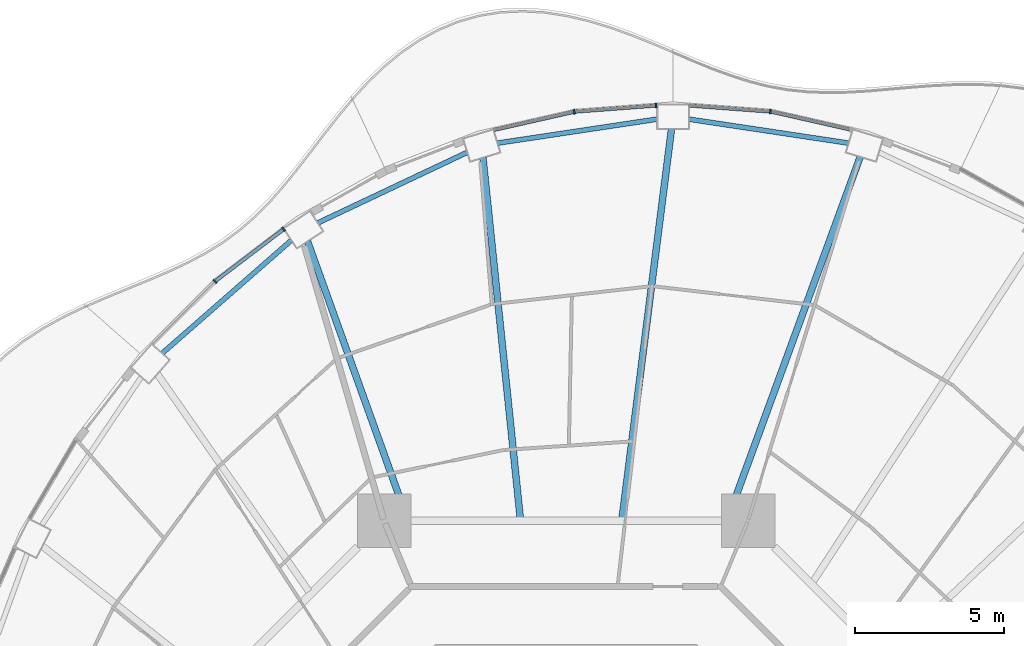
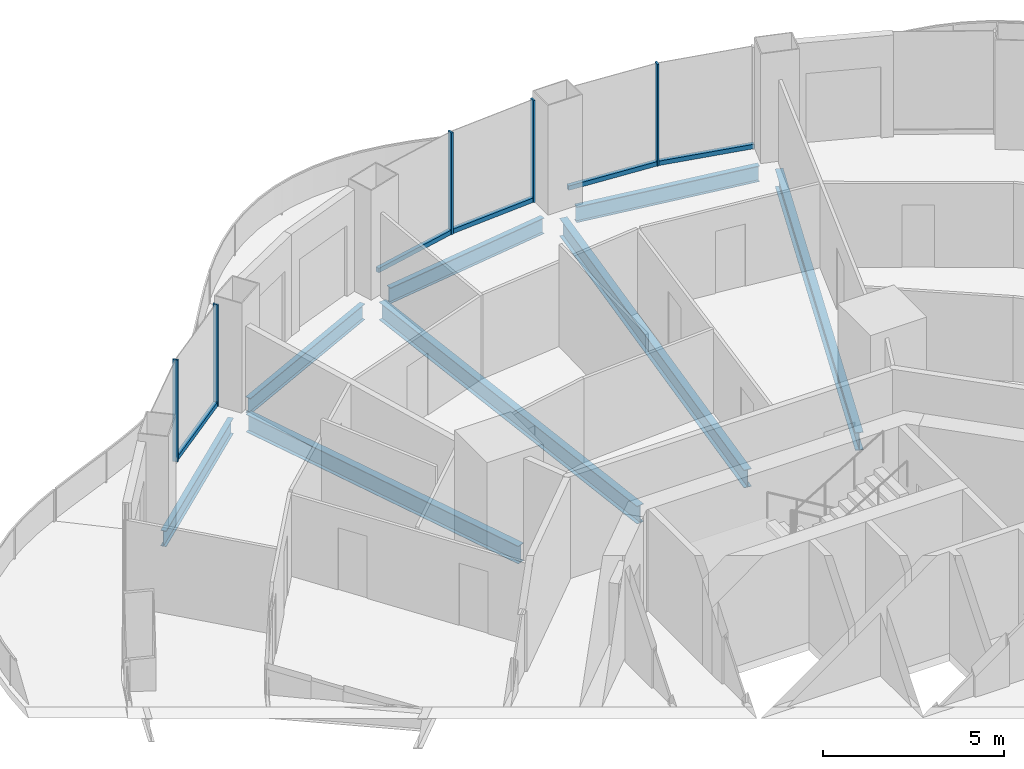
# One storey, part 7 of 19: 10 members, 8 beams, 6 elements without a shape of their own.
"""IFC4 building model written with IfcOpenShell, lengths in metres."""

from ifc_helpers import new_model, si_unit, direction, frame, origin, origin_2d, place, context, subcontext, project, spatial, rectangle, i_section, extrude, material, layer, layer_set, material_profile, profile_set, type_object, element, aggregate, save


model = new_model("IFC4")

# Units and contexts
model_context = context("Model", 3, precision=1e-05, world=origin(), true_north=direction((0.0, 1.0)))
body_context = subcontext(model_context, "Body", "Model", "MODEL_VIEW")
ifc_project = project(units=[si_unit("LENGTHUNIT", "METRE"), si_unit("AREAUNIT", "SQUARE_METRE"), si_unit("VOLUMEUNIT", "CUBIC_METRE"), si_unit("PLANEANGLEUNIT", "RADIAN"), si_unit("MASSUNIT", "GRAM", prefix="KILO")], contexts=[model_context])

# Site, building, storey
site_placement = place(None, origin())
site = spatial("IfcSite", under=ifc_project, at=site_placement, CompositionType="ELEMENT")
building_placement = place(site_placement, origin())
building = spatial("IfcBuilding", under=site, at=building_placement, Name="Nagisa Residences", CompositionType="ELEMENT")
storey_placement = place(building_placement, frame((0.0, 0.0, 195.5)))
storey = spatial("IfcBuildingStorey", under=building, at=storey_placement, Name="L49", CompositionType="ELEMENT", Elevation=195.5)

# Curtain wall, member
ifc_material_1 = material(Name="Concrete-coloured aluminium curtain wall system", Category="concrete")
ifc_layer = layer(ifc_material_1, 0.159912109375)
ifc_layer_set = layer_set([ifc_layer], Name="CW1 CURTAIN WALL")
curtain_wall_type = type_object("IfcCurtainWallType", Name="CW1 CURTAIN WALL", PredefinedType="NOTDEFINED", material=ifc_layer_set)
curtain_wall_1_placement = place(storey_placement, origin())
curtain_wall_1 = element("IfcCurtainWall", 1, at=curtain_wall_1_placement, inside=storey, type_object=curtain_wall_type, Name="cw:CW1:L49:11", PredefinedType="NOTDEFINED")
ifc_material_2 = material(Name="Concrete-coloured aluminium", Category="concrete")
ifc_material_profile_1 = material_profile(ifc_material_2, rectangle(XDim=0.159912109375, YDim=0.06005859375, at=origin_2d()), Name="CW1 MULLION 160x60")
ifc_profile_set_1 = profile_set([ifc_material_profile_1], Name="Concrete-coloured aluminium")
member_type_1 = type_object("IfcMemberType", Name="CW1 MULLION 160x60", PredefinedType="MULLION", material=ifc_profile_set_1)
member_1_placement = place(storey_placement, frame((6.876220703125, 28.550537109375, 0.0), z_axis=(0.0, 0.0, 1.0), x_axis=(-0.074377355493, -0.997230168512, 0.0)))
member_1 = element("IfcMember", 2, at=member_1_placement, type_object=member_type_1, Name="CW1 mullion", PredefinedType="MULLION", context=body_context, shape_type="SweptSolid", body=[
    extrude(rectangle(XDim=0.159912109375, YDim=0.06005859375, at=origin_2d()), origin(), (0.0, 0.0, 1.0), 3.43994140625),
])

curtain_wall_2_placement = place(storey_placement, origin())
curtain_wall_2 = element("IfcCurtainWall", 3, at=curtain_wall_2_placement, inside=storey, type_object=curtain_wall_type, Name="cw:CW1:L49:12", PredefinedType="NOTDEFINED")
member_2_placement = place(storey_placement, frame((3.027587890625, 28.752197265625, 0.0), z_axis=(0.0, 0.0, 1.0), x_axis=(0.074377355493, -0.997230168512, 0.0)))
member_2 = element("IfcMember", 4, at=member_2_placement, type_object=member_type_1, Name="CW1 mullion", PredefinedType="MULLION", context=body_context, shape_type="SweptSolid", body=[
    extrude(rectangle(XDim=0.159912109375, YDim=0.06005859375, at=origin_2d()), origin(), (0.0, 0.0, 1.0), 3.43994140625),
])

curtain_wall_3_placement = place(storey_placement, origin())
curtain_wall_3 = element("IfcCurtainWall", 5, at=curtain_wall_3_placement, inside=storey, type_object=curtain_wall_type, Name="cw:CW1:L49:13", PredefinedType="NOTDEFINED")
member_3_placement = place(storey_placement, frame((0.2763671875, 28.543212890625, 0.0), z_axis=(0.0, 0.0, 1.0), x_axis=(0.2207639201, -0.975327274089, 0.0)))
member_3 = element("IfcMember", 6, at=member_3_placement, type_object=member_type_1, Name="CW1 mullion", PredefinedType="MULLION", context=body_context, shape_type="SweptSolid", body=[
    extrude(rectangle(XDim=0.159912109375, YDim=0.06005859375, at=origin_2d()), origin(), (0.0, 0.0, 1.0), 3.43994140625),
])

curtain_wall_4_placement = place(storey_placement, origin())
curtain_wall_4 = element("IfcCurtainWall", 7, at=curtain_wall_4_placement, inside=storey, type_object=curtain_wall_type, Name="cw:CW1:L49:16", PredefinedType="NOTDEFINED")
member_4_placement = place(storey_placement, frame((-9.500732421875, 24.591796875, 0.0), z_axis=(0.0, 0.0, 1.0), x_axis=(0.605255421737, -0.79603132756, 0.0)))
member_4 = element("IfcMember", 8, at=member_4_placement, type_object=member_type_1, Name="CW1 mullion", PredefinedType="MULLION", context=body_context, shape_type="SweptSolid", body=[
    extrude(rectangle(XDim=0.159912109375, YDim=0.06005859375, at=origin_2d()), origin(), (0.0, 0.0, 1.0), 3.43994140625),
])

curtain_wall_5_placement = place(storey_placement, origin())
curtain_wall_5 = element("IfcCurtainWall", 9, at=curtain_wall_5_placement, inside=storey, type_object=curtain_wall_type, Name="cw:CW1:L49:17", PredefinedType="NOTDEFINED")
member_5_placement = place(storey_placement, frame((-11.81201171875, 22.830322265625, 0.0), z_axis=(0.0, 0.0, 1.0), x_axis=(0.706376885714, -0.707835924016, 0.0)))
member_5 = element("IfcMember", 10, at=member_5_placement, type_object=member_type_1, Name="CW1 mullion", PredefinedType="MULLION", context=body_context, shape_type="SweptSolid", body=[
    extrude(rectangle(XDim=0.159912109375, YDim=0.06005859375, at=origin_2d()), origin(), (0.0, 0.0, 1.0), 3.43994140625),
])
aggregate(curtain_wall_5, [member_5])

curtain_wall_6_placement = place(storey_placement, origin())
curtain_wall_6 = element("IfcCurtainWall", 11, at=curtain_wall_6_placement, inside=storey, type_object=curtain_wall_type, Name="cw:CW1:L49:10", PredefinedType="NOTDEFINED")
ifc_material_3 = material(Name="Concrete-coloured aluminium", Category="concrete")
ifc_material_profile_2 = material_profile(ifc_material_3, rectangle(XDim=0.1201171875, YDim=0.14990234375, at=origin_2d()), Name="CW1 TRANSOM 120x150")
ifc_profile_set_2 = profile_set([ifc_material_profile_2], Name="Concrete-coloured aluminium")
member_type_2 = type_object("IfcMemberType", Name="CW1 TRANSOM 120x150", PredefinedType="USERDEFINED", material=ifc_profile_set_2)
member_6_placement = place(storey_placement, frame((9.613525390625, 27.9345703125, 0.074951171875), z_axis=(-0.975324329911, 0.220776926974, 0.0), x_axis=(-0.220776926974, -0.975324329911, 0.0)))
member_6 = element("IfcMember", 12, at=member_6_placement, type_object=member_type_2, Name="CW1 transom", ObjectType="TRANSOM", PredefinedType="USERDEFINED", context=body_context, shape_type="SweptSolid", body=[
    extrude(rectangle(XDim=0.1201171875, YDim=0.14990234375, at=origin_2d()), origin(), (0.0, 0.0, 1.0), 2.787841796875),
])
aggregate(curtain_wall_6, [member_6])

# Member
member_7_placement = place(storey_placement, frame((6.90625, 28.548095703125, 0.074951171875), z_axis=(-0.997225528735, 0.074439538143, 0.0), x_axis=(-0.074439538143, -0.997225528735, 0.0)))
member_7 = element("IfcMember", 13, at=member_7_placement, type_object=member_type_2, Name="CW1 transom", ObjectType="TRANSOM", PredefinedType="USERDEFINED", context=body_context, shape_type="SweptSolid", body=[
    extrude(rectangle(XDim=0.1201171875, YDim=0.14990234375, at=origin_2d()), origin(), (0.0, 0.0, 1.0), 2.771240234375),
])

aggregate(curtain_wall_1, [member_1, member_7])

member_8_placement = place(storey_placement, frame((3.057373046875, 28.75439453125, 0.074951171875), z_axis=(-0.99722504052, -0.074446078208, 0.0), x_axis=(0.074446078208, -0.99722504052, 0.0)))
member_8 = element("IfcMember", 14, at=member_8_placement, type_object=member_type_2, Name="CW1 transom", ObjectType="TRANSOM", PredefinedType="USERDEFINED", context=body_context, shape_type="SweptSolid", body=[
    extrude(rectangle(XDim=0.1201171875, YDim=0.14990234375, at=origin_2d()), origin(), (0.0, 0.0, 1.0), 2.77099609375),
])

aggregate(curtain_wall_2, [member_2, member_8])

member_9_placement = place(storey_placement, frame((0.3056640625, 28.550048828125, 0.074951171875), z_axis=(-0.975324329911, -0.220776926974, 0.0), x_axis=(0.220776926974, -0.975324329911, 0.0)))
member_9 = element("IfcMember", 15, at=member_9_placement, type_object=member_type_2, Name="CW1 transom", ObjectType="TRANSOM", PredefinedType="USERDEFINED", context=body_context, shape_type="SweptSolid", body=[
    extrude(rectangle(XDim=0.1201171875, YDim=0.14990234375, at=origin_2d()), origin(), (0.0, 0.0, 1.0), 2.787841796875),
])

aggregate(curtain_wall_3, [member_3, member_9])

member_10_placement = place(storey_placement, frame((-9.476806640625, 24.60986328125, 0.074951171875), z_axis=(-0.796055733703, -0.60522332146, 0.0), x_axis=(0.60522332146, -0.796055733703, 0.0)))
member_10 = element("IfcMember", 16, at=member_10_placement, type_object=member_type_2, Name="CW1 transom", ObjectType="TRANSOM", PredefinedType="USERDEFINED", context=body_context, shape_type="SweptSolid", body=[
    extrude(rectangle(XDim=0.1201171875, YDim=0.14990234375, at=origin_2d()), origin(), (0.0, 0.0, 1.0), 2.9169921875),
])

aggregate(curtain_wall_4, [member_4, member_10])

# Beams
ifc_material_4 = material(Name="Steel ASTM A572 Gr 50", Category="steel")
ifc_material_profile_3 = material_profile(ifc_material_4, i_section(OverallWidth=0.166015625, OverallDepth=0.534912109375, WebThickness=0.01025390625, FlangeThickness=0.0166015625, at=origin_2d()), Name="W530x85")
ifc_profile_set_3 = profile_set([ifc_material_profile_3], Name="Steel ASTM A572 Gr 50")
beam_type_1 = type_object("IfcBeamType", Name="Perimeter ring beam W530x85", PredefinedType="BEAM", material=ifc_profile_set_3)
for number, where, z_axis, x_axis, name in (
    (17, (9.508056640625, 27.48779296875, -0.527587890625), (-0.988911312658, 0.148507291732, 0.0), (-0.148507291732, -0.988911312658, 0.0), "beam:L49:pb06"),
    (18, (3.06982421875, 28.29541015625, -0.527587890625), (-0.988911312658, -0.148507291732, 0.0), (0.148507291732, -0.988911312658, 0.0), "beam:L49:pb07"),
):
    element("IfcBeam", number, at=place(storey_placement, frame(where, z_axis=z_axis, x_axis=x_axis)), inside=storey, type_object=beam_type_1, Name=name, PredefinedType="BEAM", context=body_context, shape_type="SweptSolid", body=[
        extrude(i_section(OverallWidth=0.166015625, OverallDepth=0.534912109375, WebThickness=0.01025390625, FlangeThickness=0.0166015625, at=origin_2d()), origin(), (0.0, 0.0, 1.0), 5.438232421875),
    ])
beam_1_placement = place(storey_placement, frame((-3.32275390625, 27.17919921875, -0.527587890625), z_axis=(-0.904157325884, -0.427199637232, 0.0), x_axis=(0.427199637232, -0.904157325884, 0.0)))
element("IfcBeam", 19, at=beam_1_placement, inside=storey, type_object=beam_type_1, Name="beam:L49:pb08", PredefinedType="BEAM", context=body_context, shape_type="SweptSolid", body=[
    extrude(i_section(OverallWidth=0.166015625, OverallDepth=0.534912109375, WebThickness=0.01025390625, FlangeThickness=0.0166015625, at=origin_2d()), origin(), (0.0, 0.0, 1.0), 5.56396484375),
])
beam_2_placement = place(storey_placement, frame((-9.240234375, 24.220947265625, -0.527587890625), z_axis=(-0.752461486776, -0.658636250838, 0.0), x_axis=(0.658636250838, -0.752461486776, 0.0)))
element("IfcBeam", 20, at=beam_2_placement, inside=storey, type_object=beam_type_1, Name="beam:L49:pb09", PredefinedType="BEAM", context=body_context, shape_type="SweptSolid", body=[
    extrude(i_section(OverallWidth=0.166015625, OverallDepth=0.534912109375, WebThickness=0.01025390625, FlangeThickness=0.0166015625, at=origin_2d()), origin(), (0.0, 0.0, 1.0), 5.776611328125),
])
ifc_material_5 = material(Name="Steel ASTM A572 Gr 50", Category="steel")
ifc_material_profile_4 = material_profile(ifc_material_5, i_section(OverallWidth=0.22802734375, OverallDepth=0.60302734375, WebThickness=0.010498046875, FlangeThickness=0.014892578125, at=origin_2d()), Name="W610x101")
ifc_profile_set_4 = profile_set([ifc_material_profile_4], Name="Steel ASTM A572 Gr 50")
beam_type_2 = type_object("IfcBeamType", Name="Radial beam W610x101", PredefinedType="BEAM", material=ifc_profile_set_4)
beam_3_placement = place(storey_placement, frame((9.898681640625, 27.02734375, -0.5615234375), z_axis=(-0.343903309659, -0.939005065804, 0.0), x_axis=(0.939005065804, -0.343903309659, 0.0)))
element("IfcBeam", 21, at=beam_3_placement, inside=storey, type_object=beam_type_2, Name="beam:L49:rb06", PredefinedType="BEAM", context=body_context, shape_type="SweptSolid", body=[
    extrude(i_section(OverallWidth=0.22802734375, OverallDepth=0.60302734375, WebThickness=0.010498046875, FlangeThickness=0.014892578125, at=origin_2d()), origin(), (0.0, 0.0, 1.0), 12.92529296875),
])
beam_4_placement = place(storey_placement, frame((3.548583984375, 27.9697265625, -0.5615234375), z_axis=(-0.125871302495, -0.992046579153, 0.0), x_axis=(0.992046579153, -0.125871302495, 0.0)))
element("IfcBeam", 22, at=beam_4_placement, inside=storey, type_object=beam_type_2, Name="beam:L49:rb07", PredefinedType="BEAM", context=body_context, shape_type="SweptSolid", body=[
    extrude(i_section(OverallWidth=0.22802734375, OverallDepth=0.60302734375, WebThickness=0.010498046875, FlangeThickness=0.014892578125, at=origin_2d()), origin(), (0.0, 0.0, 1.0), 13.185546875),
])
beam_5_placement = place(storey_placement, frame((-2.795654296875, 26.997314453125, -0.5615234375), z_axis=(0.103007948723, -0.994680532885, 0.0), x_axis=(0.994680532885, 0.103007948723, 0.0)))
element("IfcBeam", 23, at=beam_5_placement, inside=storey, type_object=beam_type_2, Name="beam:L49:rb08", PredefinedType="BEAM", context=body_context, shape_type="SweptSolid", body=[
    extrude(i_section(OverallWidth=0.22802734375, OverallDepth=0.60302734375, WebThickness=0.010498046875, FlangeThickness=0.014892578125, at=origin_2d()), origin(), (0.0, 0.0, 1.0), 12.1728515625),
])
beam_6_placement = place(storey_placement, frame((-8.6962890625, 24.180908203125, -0.5615234375), z_axis=(0.338417364879, -0.940996114311, 0.0), x_axis=(0.940996114311, 0.338417364879, 0.0)))
element("IfcBeam", 24, at=beam_6_placement, inside=storey, type_object=beam_type_2, Name="beam:L49:rb09", PredefinedType="BEAM", context=body_context, shape_type="SweptSolid", body=[
    extrude(i_section(OverallWidth=0.22802734375, OverallDepth=0.60302734375, WebThickness=0.010498046875, FlangeThickness=0.014892578125, at=origin_2d()), origin(), (0.0, 0.0, 1.0), 9.873291015625),
])

save(model, "model.ifc")
